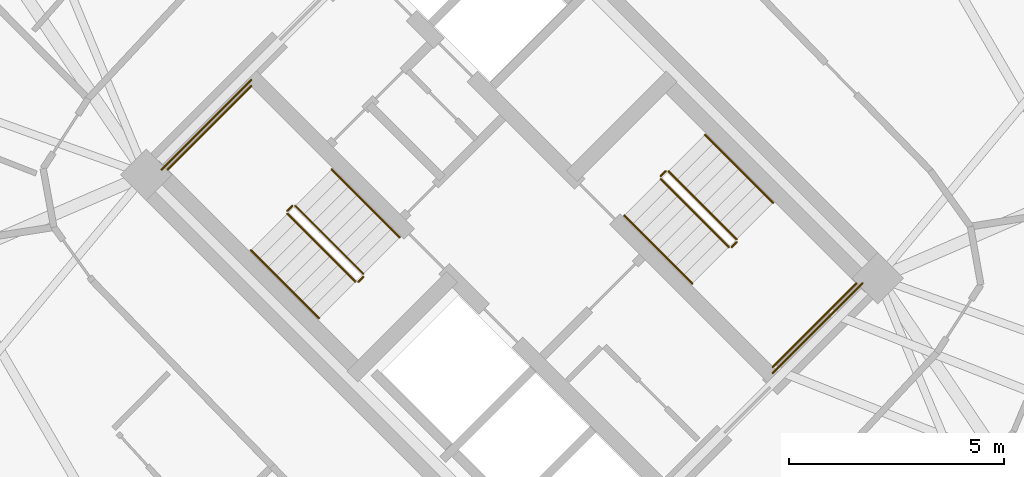
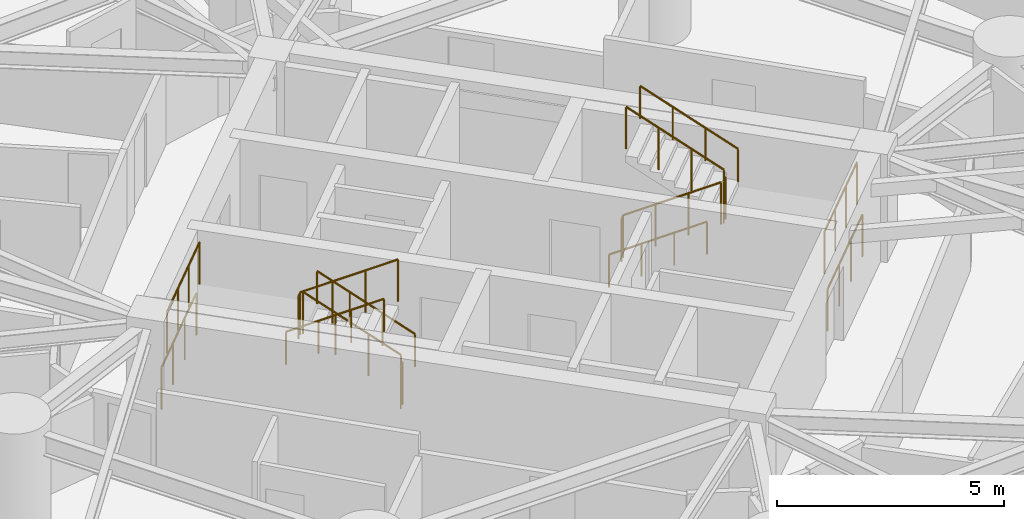
# One storey, part 18 of 19: 16 railings.
"""IFC4 building model written with IfcOpenShell, lengths in metres."""

import ifcopenshell
import ifcopenshell.guid

model = None  # the IFC model being written
_history = None  # IfcOwnerHistory: only IFC2X3 demands one
_inside = {}  # id of a spatial element -> (the spatial element, [elements in it])
_under = {}  # id of a project, library or spatial element -> (it, [spatial elements below it])
_declared = {}  # id of a project -> (the project, [libraries it declares])
_typed = {}  # id of a type object -> (the type object, [elements of that type])
_made_of = {}  # id of a material, layer set ... -> (it, [elements and type objects made of it])


def new_model(schema):
    """Start an empty IFC model of exactly this schema.

    Asked for "IFC4X3", IfcOpenShell would pick the latest addendum, in which some entities
    have other attributes; the version numbers below select the first issue.
    IFC2X3 requires an IfcOwnerHistory on every rooted entity: one is made here for all.
    """
    global model, _history
    if schema == "IFC4X3":
        model = ifcopenshell.file(schema_version=(4, 3, 0, 0))
    else:
        model = ifcopenshell.file(schema=schema)
    _inside.clear()
    _under.clear()
    _declared.clear()
    _typed.clear()
    _made_of.clear()
    _history = None
    if model.schema == "IFC2X3":
        org = make("IfcOrganization", Name="unknown")
        user = make(
            "IfcPersonAndOrganization",
            ThePerson=make("IfcPerson", FamilyName="unknown"),
            TheOrganization=org,
        )
        app = make(
            "IfcApplication",
            ApplicationDeveloper=org,
            Version="unknown",
            ApplicationFullName="unknown",
            ApplicationIdentifier="unknown",
        )
        _history = make(
            "IfcOwnerHistory",
            OwningUser=user,
            OwningApplication=app,
            ChangeAction="ADDED",
            CreationDate=0,
        )
    return model


def make(cls, **values):
    """One entity of the class cls with the attributes given. An attribute that is None is left unset."""
    return model.create_entity(
        cls, **{name: value for name, value in values.items() if value is not None}
    )


def rooted(cls, **values):
    """An entity with a GlobalId (a new one), such as an element, a storey or a relation."""
    return make(cls, GlobalId=ifcopenshell.guid.new(), OwnerHistory=_history, **values)


def si_unit(unit_type, name, prefix=None):
    """IfcSIUnit, for example si_unit("LENGTHUNIT", "METRE", prefix="MILLI")."""
    return make("IfcSIUnit", UnitType=unit_type, Prefix=prefix, Name=name)


def assignment(units):
    """IfcUnitAssignment: the units of a project."""
    return None if units is None else make("IfcUnitAssignment", Units=units)


def point(xyz):
    """IfcCartesianPoint."""
    return None if xyz is None else make("IfcCartesianPoint", Coordinates=xyz)


def direction(xyz):
    """IfcDirection."""
    return None if xyz is None else make("IfcDirection", DirectionRatios=xyz)


def frame(location, z_axis=None, x_axis=None):
    """IfcAxis2Placement3D, a coordinate frame: its origin and axes. An axis left out is left unset."""
    return make(
        "IfcAxis2Placement3D",
        Location=point(location),
        Axis=direction(z_axis),
        RefDirection=direction(x_axis),
    )


def frame_2d(location, x_axis=None):
    """IfcAxis2Placement2D, a coordinate frame in the plane: its origin and x axis."""
    return make(
        "IfcAxis2Placement2D", Location=point(location), RefDirection=direction(x_axis)
    )


def origin():
    """The frame at (0, 0, 0) with its axes left unset."""
    return frame((0.0, 0.0, 0.0))


def origin_2d():
    """The frame at (0, 0) in the plane with its x axis left unset."""
    return frame_2d((0.0, 0.0))


def place(relative_to, where):
    """IfcLocalPlacement: puts the frame where relative to a parent placement (None: the world)."""
    return make(
        "IfcLocalPlacement", PlacementRelTo=relative_to, RelativePlacement=where
    )


def context(
    kind, dimensions, precision=None, world=None, true_north=None, identifier=None
):
    """IfcGeometricRepresentationContext, for example the 3D "Model" context."""
    return make(
        "IfcGeometricRepresentationContext",
        ContextIdentifier=identifier,
        ContextType=kind,
        CoordinateSpaceDimension=dimensions,
        Precision=precision,
        WorldCoordinateSystem=world,
        TrueNorth=true_north,
    )


def subcontext(parent, identifier, kind, view, scale=None):
    """IfcGeometricRepresentationSubContext, for example "Body" below "Model"."""
    return make(
        "IfcGeometricRepresentationSubContext",
        ContextIdentifier=identifier,
        ContextType=kind,
        ParentContext=parent,
        TargetScale=scale,
        TargetView=view,
    )


def project(units=None, contexts=None):
    """IfcProject with its units and contexts."""
    return rooted(
        "IfcProject",
        Name="project",
        RepresentationContexts=contexts,
        UnitsInContext=assignment(units),
    )


def spatial(cls, under=None, at=None, **own):
    """A site, building, storey or space (cls), placed at a placement, below another one or the project."""
    s = rooted(cls, ObjectPlacement=at, **own)
    if under is not None:
        _under.setdefault(under.id(), (under, []))[1].append(s)
    return s


def profile(cls, at=None, kind="AREA", **sizes):
    """A parametric profile (cls). Its sizes go by their IFC names, for example OverallWidth=200.0."""
    return make(cls, ProfileType=kind, Position=at, **sizes)


def circle(**sizes):
    """IfcCircleProfileDef."""
    return profile("IfcCircleProfileDef", **sizes)


def extrude(swept, where, along, depth):
    """IfcExtrudedAreaSolid: the profile swept, set in the frame where, extruded along a direction by depth."""
    return make(
        "IfcExtrudedAreaSolid",
        SweptArea=swept,
        Position=where,
        ExtrudedDirection=direction(along),
        Depth=depth,
    )


def shape(context_of_items, identifier, shape_type, items):
    """IfcShapeRepresentation: the items that make up one representation, for example the "Body"."""
    return make(
        "IfcShapeRepresentation",
        ContextOfItems=context_of_items,
        RepresentationIdentifier=identifier,
        RepresentationType=shape_type,
        Items=items,
    )


def material(Name=None, Category=None):
    """IfcMaterial."""
    return make("IfcMaterial", Name=Name, Category=Category)


def made_of(thing, what):
    """Note that an element or type object is made of a material, layer set ...; save() writes the relation."""
    if what is not None:
        _made_of.setdefault(what.id(), (what, []))[1].append(thing)
    return thing


def type_object(cls, material=None, **own):
    """A type object (cls), such as IfcWallType, which elements share."""
    return made_of(rooted(cls, **own), material)


def element(
    cls,
    number,
    at=None,
    inside=None,
    cuts=None,
    type_object=None,
    material=None,
    context=None,
    identifier="Body",
    shape_type=None,
    held_by="IfcProductDefinitionShape",
    body=None,
    shapes=None,
    **own,
):
    """One element of the class cls, such as IfcWall. Its Tag is "e" and its number.

    at: its placement. inside: the storey or other place that contains it. cuts: it is an
    opening in that element (IfcRelVoidsElement). A single representation is given by context,
    identifier, shape_type and body (its items); several are given by shapes. held_by: the class
    of the entity that holds the representations. save() writes the other relations.
    """
    e = rooted(cls, Tag="e%d" % number, ObjectPlacement=at, **own)
    if body is not None:
        shapes = [shape(context, identifier, shape_type, body)]
    if shapes is not None:
        e.Representation = make(held_by, Representations=shapes)
    if inside is not None:
        _inside.setdefault(inside.id(), (inside, []))[1].append(e)
    if cuts is not None:
        rooted(
            "IfcRelVoidsElement", RelatingBuildingElement=cuts, RelatedOpeningElement=e
        )
    if type_object is not None:
        _typed.setdefault(type_object.id(), (type_object, []))[1].append(e)
    return made_of(e, material)


def aggregate(whole, parts):
    """IfcRelAggregates: a whole, such as a stair, and the parts it consists of."""
    return rooted("IfcRelAggregates", RelatingObject=whole, RelatedObjects=parts)


def save(model, path):
    """Write the relations noted so far, then the file.

    IfcRelAggregates (storeys below a building ...), IfcRelContainedInSpatialStructure (elements
    in a storey), IfcRelDefinesByType, IfcRelAssociatesMaterial and IfcRelDeclares: one each for
    every whole, place, type object, material and project.
    """
    for whole, parts in _under.values():
        aggregate(whole, parts)
    for where, things in _inside.values():
        rooted(
            "IfcRelContainedInSpatialStructure",
            RelatedElements=things,
            RelatingStructure=where,
        )
    for kind, things in _typed.values():
        rooted("IfcRelDefinesByType", RelatedObjects=things, RelatingType=kind)
    for what, things in _made_of.values():
        rooted("IfcRelAssociatesMaterial", RelatedObjects=things, RelatingMaterial=what)
    for by, libraries in _declared.values():
        rooted("IfcRelDeclares", RelatingContext=by, RelatedDefinitions=libraries)
    model.write(path)


model = new_model("IFC4")

# Units and contexts
model_context = context("Model", 3, precision=1e-05, world=origin(), true_north=direction((0.0, 1.0)))
body_context = subcontext(model_context, "Body", "Model", "MODEL_VIEW")
ifc_project = project(units=[si_unit("LENGTHUNIT", "METRE"), si_unit("AREAUNIT", "SQUARE_METRE"), si_unit("VOLUMEUNIT", "CUBIC_METRE"), si_unit("PLANEANGLEUNIT", "RADIAN"), si_unit("MASSUNIT", "GRAM", prefix="KILO")], contexts=[model_context])

# Site, building, storey
site_placement = place(None, origin())
site = spatial("IfcSite", under=ifc_project, at=site_placement, CompositionType="ELEMENT")
building_placement = place(site_placement, origin())
building = spatial("IfcBuilding", under=site, at=building_placement, Name="Cununo Teusaquillo Station Towers", CompositionType="ELEMENT")
storey_placement = place(building_placement, frame((0.0, 0.0, 48.18994140625)))
storey = spatial("IfcBuildingStorey", under=building, at=storey_placement, Name="L14", CompositionType="ELEMENT", Elevation=48.18994140625)

# Railings
ifc_material_1 = material(Name="Steel EN 10025-2 S355J2", Category="steel")
railing_type_1 = type_object("IfcRailingType", Name="RL-INT-GUARD", PredefinedType="GUARDRAIL", material=ifc_material_1)
railing_1_placement = place(storey_placement, frame((54.03515625, 23.39697265625, 0.16162109375)))
element("IfcRailing", 1, at=railing_1_placement, inside=storey, type_object=railing_type_1, Name="L14 ST-T2-1 stair guard 1", PredefinedType="GUARDRAIL", context=body_context, shape_type="SweptSolid", body=[
    extrude(circle(Radius=0.02392578125, at=origin_2d()), frame((0.0, 0.0, 1.1259765625), z_axis=(-0.612332353853, 0.612332353853, 0.500098167213), x_axis=(-0.707106781187, -0.707106781187, 0.0)), (0.0, 0.0, 1.0), 2.58642578125),
    extrude(circle(Radius=0.02099609375, at=origin_2d()), origin(), (0.0, 0.0, 1.0), 1.101806640625),
    extrude(circle(Radius=0.02099609375, at=origin_2d()), frame((-0.52783203125, 0.52783203125, 0.43115234375)), (0.0, 0.0, 1.0), 1.101806640625),
    extrude(circle(Radius=0.02099609375, at=origin_2d()), frame((-1.055908203125, 1.055908203125, 0.8623046875)), (0.0, 0.0, 1.0), 1.101806640625),
    extrude(circle(Radius=0.02099609375, at=origin_2d()), frame((-1.583740234375, 1.583740234375, 1.29345703125)), (0.0, 0.0, 1.0), 1.101806640625),
])
railing_2_placement = place(storey_placement, frame((52.380615234375, 24.980712890625, 1.455078125)))
element("IfcRailing", 2, at=railing_2_placement, inside=storey, type_object=railing_type_1, Name="L14 ST-T2-1 stair guard 2", PredefinedType="GUARDRAIL", context=body_context, shape_type="SweptSolid", body=[
    extrude(circle(Radius=0.02392578125, at=origin_2d()), frame((0.0, 0.0, 1.1259765625), z_axis=(-0.7078691598, -0.706343579714, 0.0), x_axis=(0.706343579714, -0.7078691598, 0.0)), (0.0, 0.0, 1.0), 0.159912109375),
    extrude(circle(Radius=0.02099609375, at=origin_2d()), origin(), (0.0, 0.0, 1.0), 1.101806640625),
    extrude(circle(Radius=0.02099609375, at=origin_2d()), frame((-0.11328125, -0.113037109375, 0.0)), (0.0, 0.0, 1.0), 1.101806640625),
])
railing_3_placement = place(storey_placement, frame((51.426025390625, 27.77392578125, 1.455078125)))
element("IfcRailing", 3, at=railing_3_placement, inside=storey, type_object=railing_type_1, Name="L14 ST-T2-1 stair guard 3", PredefinedType="GUARDRAIL", context=body_context, shape_type="SweptSolid", body=[
    extrude(circle(Radius=0.02392578125, at=origin_2d()), frame((0.0, 0.0, 1.1259765625), z_axis=(-0.707106781187, -0.707106781187, 0.0), x_axis=(0.707106781187, -0.707106781187, 0.0)), (0.0, 0.0, 1.0), 2.760009765625),
    extrude(circle(Radius=0.02099609375, at=origin_2d()), origin(), (0.0, 0.0, 1.0), 1.101806640625),
    extrude(circle(Radius=0.02099609375, at=origin_2d()), frame((-0.650634765625, -0.650634765625, 0.0)), (0.0, 0.0, 1.0), 1.101806640625),
    extrude(circle(Radius=0.02099609375, at=origin_2d()), frame((-1.301025390625, -1.301025390625, 0.0)), (0.0, 0.0, 1.0), 1.101806640625),
    extrude(circle(Radius=0.02099609375, at=origin_2d()), frame((-1.95166015625, -1.95166015625, 0.0)), (0.0, 0.0, 1.0), 1.101806640625),
])
railing_4_placement = place(storey_placement, frame((52.267333984375, 24.796875, 1.61669921875)))
element("IfcRailing", 4, at=railing_4_placement, inside=storey, type_object=railing_type_1, Name="L14 ST-T2-1 stair guard 4", PredefinedType="GUARDRAIL", context=body_context, shape_type="SweptSolid", body=[
    extrude(circle(Radius=0.02392578125, at=origin_2d()), frame((0.0, 0.0, 1.1259765625), z_axis=(0.612391349474, -0.612296961165, 0.500069261639), x_axis=(0.707052281454, 0.707161276719, 0.0)), (0.0, 0.0, 1.0), 2.586669921875),
    extrude(circle(Radius=0.02099609375, at=origin_2d()), origin(), (0.0, 0.0, 1.0), 1.101806640625),
    extrude(circle(Radius=0.02099609375, at=origin_2d()), frame((0.528076171875, -0.52783203125, 0.43115234375)), (0.0, 0.0, 1.0), 1.101806640625),
    extrude(circle(Radius=0.02099609375, at=origin_2d()), frame((1.055908203125, -1.055908203125, 0.8623046875)), (0.0, 0.0, 1.0), 1.101806640625),
    extrude(circle(Radius=0.02099609375, at=origin_2d()), frame((1.583984375, -1.583740234375, 1.29345703125)), (0.0, 0.0, 1.0), 1.101806640625),
])
railing_5_placement = place(storey_placement, frame((54.03515625, 23.326171875, 0.0)))
element("IfcRailing", 5, at=railing_5_placement, inside=storey, type_object=railing_type_1, Name="L14 ST-T2-1 stair guard 5", PredefinedType="GUARDRAIL", context=body_context, shape_type="SweptSolid", body=[
    extrude(circle(Radius=0.02392578125, at=origin_2d()), frame((0.0, 0.0, 1.1259765625), z_axis=(-0.707106781187, -0.707106781187, 0.0), x_axis=(0.707106781187, -0.707106781187, 0.0)), (0.0, 0.0, 1.0), 0.159912109375),
    extrude(circle(Radius=0.02099609375, at=origin_2d()), origin(), (0.0, 0.0, 1.0), 1.101806640625),
    extrude(circle(Radius=0.02099609375, at=origin_2d()), frame((-0.113037109375, -0.113037109375, 0.0)), (0.0, 0.0, 1.0), 1.101806640625),
])
railing_6_placement = place(storey_placement, frame((51.426025390625, 27.915283203125, 0.0)))
element("IfcRailing", 6, at=railing_6_placement, inside=storey, type_object=railing_type_1, Name="L14 ST-T2-1 stair guard 6", PredefinedType="GUARDRAIL", context=body_context, shape_type="SweptSolid", body=[
    extrude(circle(Radius=0.02392578125, at=origin_2d()), frame((0.0, 0.0, 1.1259765625), z_axis=(-0.707106781187, -0.707106781187, 0.0), x_axis=(0.707106781187, -0.707106781187, 0.0)), (0.0, 0.0, 1.0), 2.9599609375),
    extrude(circle(Radius=0.02099609375, at=origin_2d()), origin(), (0.0, 0.0, 1.0), 1.101806640625),
    extrude(circle(Radius=0.02099609375, at=origin_2d()), frame((-0.69775390625, -0.69775390625, 0.0)), (0.0, 0.0, 1.0), 1.101806640625),
    extrude(circle(Radius=0.02099609375, at=origin_2d()), frame((-1.395263671875, -1.395263671875, 0.0)), (0.0, 0.0, 1.0), 1.101806640625),
    extrude(circle(Radius=0.02099609375, at=origin_2d()), frame((-2.093017578125, -2.093017578125, 0.0)), (0.0, 0.0, 1.0), 1.101806640625),
])
railing_7_placement = place(storey_placement, frame((60.96484375, 25.60302734375, 0.16162109375)))
element("IfcRailing", 7, at=railing_7_placement, inside=storey, type_object=railing_type_1, Name="L14 ST-T2-2 stair guard 1", PredefinedType="GUARDRAIL", context=body_context, shape_type="SweptSolid", body=[
    extrude(circle(Radius=0.02392578125, at=origin_2d()), frame((0.0, 0.0, 1.1259765625), z_axis=(0.612332353853, -0.612332353853, 0.500098167213), x_axis=(0.707106781187, 0.707106781187, 0.0)), (0.0, 0.0, 1.0), 2.58642578125),
    extrude(circle(Radius=0.02099609375, at=origin_2d()), origin(), (0.0, 0.0, 1.0), 1.101806640625),
    extrude(circle(Radius=0.02099609375, at=origin_2d()), frame((0.52783203125, -0.52783203125, 0.43115234375)), (0.0, 0.0, 1.0), 1.101806640625),
    extrude(circle(Radius=0.02099609375, at=origin_2d()), frame((1.055908203125, -1.055908203125, 0.8623046875)), (0.0, 0.0, 1.0), 1.101806640625),
    extrude(circle(Radius=0.02099609375, at=origin_2d()), frame((1.583740234375, -1.583740234375, 1.29345703125)), (0.0, 0.0, 1.0), 1.101806640625),
])
railing_8_placement = place(storey_placement, frame((62.619384765625, 24.019287109375, 1.455078125)))
element("IfcRailing", 8, at=railing_8_placement, inside=storey, type_object=railing_type_1, Name="L14 ST-T2-2 stair guard 2", PredefinedType="GUARDRAIL", context=body_context, shape_type="SweptSolid", body=[
    extrude(circle(Radius=0.02392578125, at=origin_2d()), frame((0.0, 0.0, 1.1259765625), z_axis=(0.7078691598, 0.706343579714, 0.0), x_axis=(-0.706343579714, 0.7078691598, 0.0)), (0.0, 0.0, 1.0), 0.159912109375),
    extrude(circle(Radius=0.02099609375, at=origin_2d()), origin(), (0.0, 0.0, 1.0), 1.101806640625),
    extrude(circle(Radius=0.02099609375, at=origin_2d()), frame((0.11328125, 0.113037109375, 0.0)), (0.0, 0.0, 1.0), 1.101806640625),
])
railing_9_placement = place(storey_placement, frame((63.573974609375, 21.22607421875, 1.455078125)))
element("IfcRailing", 9, at=railing_9_placement, inside=storey, type_object=railing_type_1, Name="L14 ST-T2-2 stair guard 3", PredefinedType="GUARDRAIL", context=body_context, shape_type="SweptSolid", body=[
    extrude(circle(Radius=0.02392578125, at=origin_2d()), frame((0.0, 0.0, 1.1259765625), z_axis=(0.707106781187, 0.707106781187, 0.0), x_axis=(-0.707106781187, 0.707106781187, 0.0)), (0.0, 0.0, 1.0), 2.760009765625),
    extrude(circle(Radius=0.02099609375, at=origin_2d()), origin(), (0.0, 0.0, 1.0), 1.101806640625),
    extrude(circle(Radius=0.02099609375, at=origin_2d()), frame((0.650634765625, 0.650634765625, 0.0)), (0.0, 0.0, 1.0), 1.101806640625),
    extrude(circle(Radius=0.02099609375, at=origin_2d()), frame((1.301025390625, 1.301025390625, 0.0)), (0.0, 0.0, 1.0), 1.101806640625),
    extrude(circle(Radius=0.02099609375, at=origin_2d()), frame((1.95166015625, 1.95166015625, 0.0)), (0.0, 0.0, 1.0), 1.101806640625),
])
railing_10_placement = place(storey_placement, frame((62.732666015625, 24.203125, 1.61669921875)))
element("IfcRailing", 10, at=railing_10_placement, inside=storey, type_object=railing_type_1, Name="L14 ST-T2-2 stair guard 4", PredefinedType="GUARDRAIL", context=body_context, shape_type="SweptSolid", body=[
    extrude(circle(Radius=0.02392578125, at=origin_2d()), frame((0.0, 0.0, 1.1259765625), z_axis=(-0.612391349474, 0.612296961165, 0.500069261639), x_axis=(-0.707052281454, -0.707161276719, 0.0)), (0.0, 0.0, 1.0), 2.586669921875),
    extrude(circle(Radius=0.02099609375, at=origin_2d()), origin(), (0.0, 0.0, 1.0), 1.101806640625),
    extrude(circle(Radius=0.02099609375, at=origin_2d()), frame((-0.528076171875, 0.52783203125, 0.43115234375)), (0.0, 0.0, 1.0), 1.101806640625),
    extrude(circle(Radius=0.02099609375, at=origin_2d()), frame((-1.055908203125, 1.055908203125, 0.8623046875)), (0.0, 0.0, 1.0), 1.101806640625),
    extrude(circle(Radius=0.02099609375, at=origin_2d()), frame((-1.583984375, 1.583740234375, 1.29345703125)), (0.0, 0.0, 1.0), 1.101806640625),
])
railing_11_placement = place(storey_placement, frame((60.96484375, 25.673828125, 0.0)))
element("IfcRailing", 11, at=railing_11_placement, inside=storey, type_object=railing_type_1, Name="L14 ST-T2-2 stair guard 5", PredefinedType="GUARDRAIL", context=body_context, shape_type="SweptSolid", body=[
    extrude(circle(Radius=0.02392578125, at=origin_2d()), frame((0.0, 0.0, 1.1259765625), z_axis=(0.707106781187, 0.707106781187, 0.0), x_axis=(-0.707106781187, 0.707106781187, 0.0)), (0.0, 0.0, 1.0), 0.159912109375),
    extrude(circle(Radius=0.02099609375, at=origin_2d()), origin(), (0.0, 0.0, 1.0), 1.101806640625),
    extrude(circle(Radius=0.02099609375, at=origin_2d()), frame((0.113037109375, 0.113037109375, 0.0)), (0.0, 0.0, 1.0), 1.101806640625),
])
railing_12_placement = place(storey_placement, frame((63.573974609375, 21.084716796875, 0.0)))
element("IfcRailing", 12, at=railing_12_placement, inside=storey, type_object=railing_type_1, Name="L14 ST-T2-2 stair guard 6", PredefinedType="GUARDRAIL", context=body_context, shape_type="SweptSolid", body=[
    extrude(circle(Radius=0.02392578125, at=origin_2d()), frame((0.0, 0.0, 1.1259765625), z_axis=(0.707106781187, 0.707106781187, 0.0), x_axis=(-0.707106781187, 0.707106781187, 0.0)), (0.0, 0.0, 1.0), 2.9599609375),
    extrude(circle(Radius=0.02099609375, at=origin_2d()), origin(), (0.0, 0.0, 1.0), 1.101806640625),
    extrude(circle(Radius=0.02099609375, at=origin_2d()), frame((0.69775390625, 0.69775390625, 0.0)), (0.0, 0.0, 1.0), 1.101806640625),
    extrude(circle(Radius=0.02099609375, at=origin_2d()), frame((1.395263671875, 1.395263671875, 0.0)), (0.0, 0.0, 1.0), 1.101806640625),
    extrude(circle(Radius=0.02099609375, at=origin_2d()), frame((2.093017578125, 2.093017578125, 0.0)), (0.0, 0.0, 1.0), 1.101806640625),
])
ifc_material_2 = material(Name="Steel EN 10025-2 S355J2", Category="steel")
railing_type_2 = type_object("IfcRailingType", Name="RL-INT-HRAIL", PredefinedType="HANDRAIL", material=ifc_material_2)
railing_13_placement = place(storey_placement, frame((54.8837890625, 24.245361328125, 0.16162109375)))
element("IfcRailing", 13, at=railing_13_placement, inside=storey, type_object=railing_type_2, Name="L14 ST-T2-1 stair handrail 1", PredefinedType="HANDRAIL", context=body_context, shape_type="SweptSolid", body=[
    extrude(circle(Radius=0.02392578125, at=origin_2d()), frame((0.0, 0.0, 0.8759765625), z_axis=(-0.612355957468, 0.612355957468, 0.500040361077), x_axis=(-0.707106781187, -0.707106781187, 0.0)), (0.0, 0.0, 1.0), 2.586669921875),
    extrude(circle(Radius=0.02099609375, at=origin_2d()), origin(), (0.0, 0.0, 1.0), 0.851806640625),
    extrude(circle(Radius=0.02099609375, at=origin_2d()), frame((-0.528076171875, 0.528076171875, 0.43115234375)), (0.0, 0.0, 1.0), 0.851806640625),
    extrude(circle(Radius=0.02099609375, at=origin_2d()), frame((-1.055908203125, 1.055908203125, 0.8623046875)), (0.0, 0.0, 1.0), 0.851806640625),
    extrude(circle(Radius=0.02099609375, at=origin_2d()), frame((-1.583984375, 1.583984375, 1.29345703125)), (0.0, 0.0, 1.0), 0.851806640625),
])
for number, where, name in (
    (14, (51.4189453125, 23.948486328125, 1.61669921875), "L14 ST-T2-1 stair handrail 2"),
    (15, (60.1162109375, 24.754638671875, 0.16162109375), "L14 ST-T2-2 stair handrail 1"),
):
    element("IfcRailing", number, at=place(storey_placement, frame(where)), inside=storey, type_object=railing_type_2, Name=name, PredefinedType="HANDRAIL", context=body_context, shape_type="SweptSolid", body=[
        extrude(circle(Radius=0.02392578125, at=origin_2d()), frame((0.0, 0.0, 0.8759765625), z_axis=(0.612355957468, -0.612355957468, 0.500040361077), x_axis=(0.707106781187, 0.707106781187, 0.0)), (0.0, 0.0, 1.0), 2.586669921875),
        extrude(circle(Radius=0.02099609375, at=origin_2d()), origin(), (0.0, 0.0, 1.0), 0.851806640625),
        extrude(circle(Radius=0.02099609375, at=origin_2d()), frame((0.528076171875, -0.528076171875, 0.43115234375)), (0.0, 0.0, 1.0), 0.851806640625),
        extrude(circle(Radius=0.02099609375, at=origin_2d()), frame((1.055908203125, -1.055908203125, 0.8623046875)), (0.0, 0.0, 1.0), 0.851806640625),
        extrude(circle(Radius=0.02099609375, at=origin_2d()), frame((1.583984375, -1.583984375, 1.29345703125)), (0.0, 0.0, 1.0), 0.851806640625),
    ])
railing_14_placement = place(storey_placement, frame((63.5810546875, 25.051513671875, 1.61669921875)))
element("IfcRailing", 16, at=railing_14_placement, inside=storey, type_object=railing_type_2, Name="L14 ST-T2-2 stair handrail 2", PredefinedType="HANDRAIL", context=body_context, shape_type="SweptSolid", body=[
    extrude(circle(Radius=0.02392578125, at=origin_2d()), frame((0.0, 0.0, 0.8759765625), z_axis=(-0.612355957468, 0.612355957468, 0.500040361077), x_axis=(-0.707106781187, -0.707106781187, 0.0)), (0.0, 0.0, 1.0), 2.586669921875),
    extrude(circle(Radius=0.02099609375, at=origin_2d()), origin(), (0.0, 0.0, 1.0), 0.851806640625),
    extrude(circle(Radius=0.02099609375, at=origin_2d()), frame((-0.528076171875, 0.528076171875, 0.43115234375)), (0.0, 0.0, 1.0), 0.851806640625),
    extrude(circle(Radius=0.02099609375, at=origin_2d()), frame((-1.055908203125, 1.055908203125, 0.8623046875)), (0.0, 0.0, 1.0), 0.851806640625),
    extrude(circle(Radius=0.02099609375, at=origin_2d()), frame((-1.583984375, 1.583984375, 1.29345703125)), (0.0, 0.0, 1.0), 0.851806640625),
])

save(model, "model.ifc")
